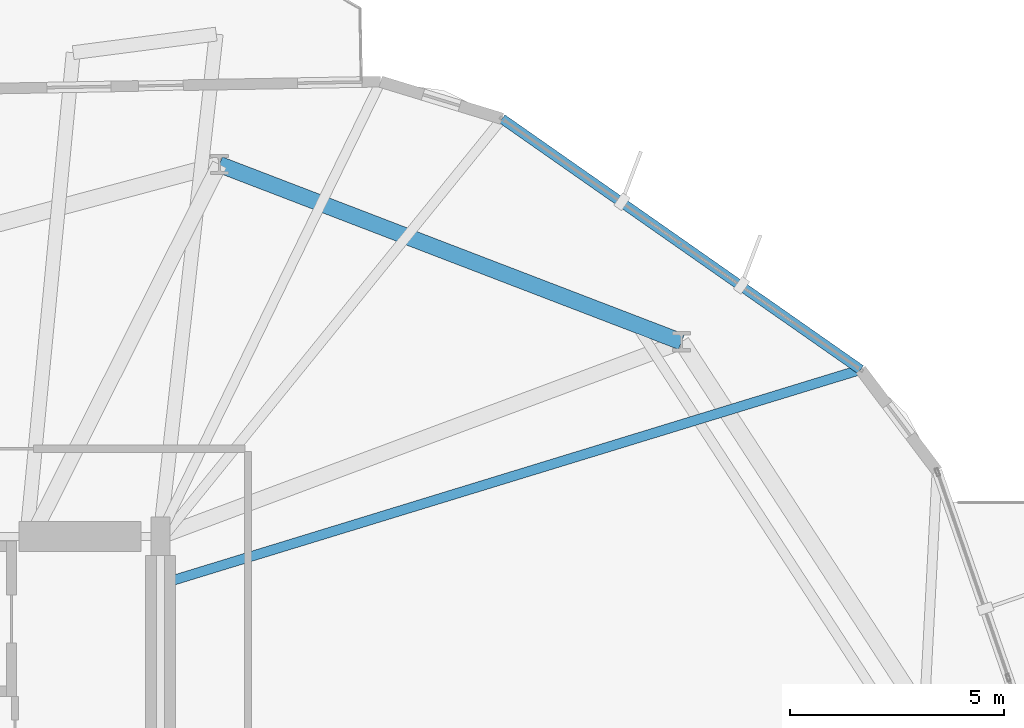
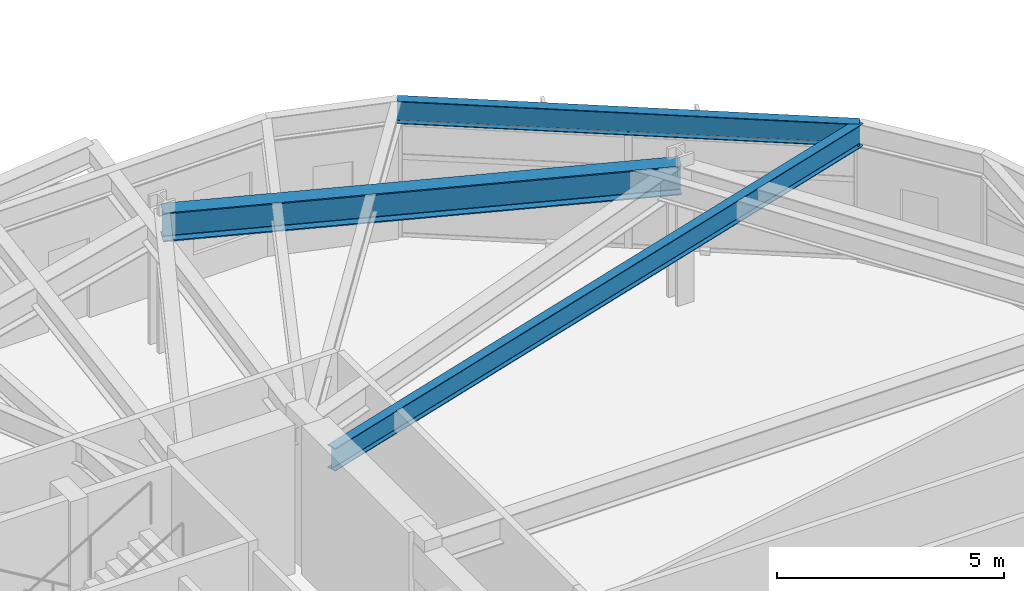
# One storey, part 14 of 23: 3 beams.
"""IFC4 building model written with IfcOpenShell, lengths in metres."""

from ifc_helpers import new_model, si_unit, direction, frame, origin, origin_2d, place, context, subcontext, project, spatial, i_section, extrude, material, material_profile, profile_set, type_object, element, save


model = new_model("IFC4")

# Units and contexts
model_context = context("Model", 3, precision=1e-05, world=origin(), true_north=direction((0.0, 1.0)))
body_context = subcontext(model_context, "Body", "Model", "MODEL_VIEW")
ifc_project = project(units=[si_unit("LENGTHUNIT", "METRE"), si_unit("AREAUNIT", "SQUARE_METRE"), si_unit("VOLUMEUNIT", "CUBIC_METRE"), si_unit("PLANEANGLEUNIT", "RADIAN"), si_unit("MASSUNIT", "GRAM", prefix="KILO")], contexts=[model_context])

# Site, building, storey
site_placement = place(None, origin())
site = spatial("IfcSite", under=ifc_project, at=site_placement, CompositionType="ELEMENT")
building_placement = place(site_placement, origin())
building = spatial("IfcBuilding", under=site, at=building_placement, Name="Soratama Intermodal Tower", CompositionType="ELEMENT")
storey_placement = place(building_placement, frame((0.0, 0.0, 30.60009765625)))
storey = spatial("IfcBuildingStorey", under=building, at=storey_placement, Name="L06", CompositionType="ELEMENT", Elevation=30.60009765625)

# Beams
ifc_material_1 = material(Name="Structural steel ASTM A992 Grade 50", Category="steel")
ifc_material_profile_1 = material_profile(ifc_material_1, i_section(OverallWidth=0.382080078125, OverallDepth=0.779052734375, WebThickness=0.01806640625, FlangeThickness=0.030029296875, FilletRadius=0.01806640625, at=origin_2d()), Name="W30X191")
ifc_profile_set_1 = profile_set([ifc_material_profile_1], Name="Structural steel ASTM A992 Grade 50")
beam_type_1 = type_object("IfcBeamType", Name="BM-RING-W30X191", PredefinedType="BEAM", material=ifc_profile_set_1)
beam_1_placement = place(storey_placement, frame((56.781005859375, 39.548095703125, 3.310302734375), z_axis=(-0.933584159632, 0.358358224246, 0.0), x_axis=(-0.358358224246, -0.933584159632, 0.0)))
element("IfcBeam", 1, at=beam_1_placement, inside=storey, type_object=beam_type_1, Name="BM-L06-RING-02", PredefinedType="BEAM", context=body_context, shape_type="SweptSolid", body=[
    extrude(i_section(OverallWidth=0.382080078125, OverallDepth=0.779052734375, WebThickness=0.01806640625, FlangeThickness=0.030029296875, FilletRadius=0.01806640625, at=origin_2d()), origin(), (0.0, 0.0, 1.0), 11.5693359375),
])
ifc_material_2 = material(Name="Structural steel ASTM A992 Grade 50", Category="steel")
ifc_material_profile_2 = material_profile(ifc_material_2, i_section(OverallWidth=0.22900390625, OverallDepth=0.612060546875, WebThickness=0.011962890625, FlangeThickness=0.01953125, FilletRadius=0.012939453125, at=origin_2d()), Name="W24X84")
ifc_profile_set_2 = profile_set([ifc_material_profile_2], Name="Structural steel ASTM A992 Grade 50")
beam_type_2 = type_object("IfcBeamType", Name="BM-SPN-W24X84", PredefinedType="SPANDREL", material=ifc_profile_set_2)
beam_2_placement = place(storey_placement, frame((60.968017578125, 38.89892578125, 3.393798828125), z_axis=(-0.819345141527, 0.57330056607, 0.0), x_axis=(-0.57330056607, -0.819345141527, 0.0)))
element("IfcBeam", 2, at=beam_2_placement, inside=storey, type_object=beam_type_2, Name="BS-L06-F02", PredefinedType="SPANDREL", context=body_context, shape_type="SweptSolid", body=[
    extrude(i_section(OverallWidth=0.22900390625, OverallDepth=0.612060546875, WebThickness=0.011962890625, FlangeThickness=0.01953125, FilletRadius=0.012939453125, at=origin_2d()), origin(), (0.0, 0.0, 1.0), 10.230224609375),
])
ifc_material_3 = material(Name="Structural steel ASTM A992 Grade 50", Category="steel")
ifc_material_profile_3 = material_profile(ifc_material_3, i_section(OverallWidth=0.22900390625, OverallDepth=0.612060546875, WebThickness=0.011962890625, FlangeThickness=0.01953125, FilletRadius=0.012939453125, at=origin_2d()), Name="W24X84")
ifc_profile_set_3 = profile_set([ifc_material_profile_3], Name="Structural steel ASTM A992 Grade 50")
beam_type_3 = type_object("IfcBeamType", Name="BM-TIE-W24X84", PredefinedType="BEAM", material=ifc_profile_set_3)
beam_3_placement = place(storey_placement, frame((44.637939453125, 33.89501953125, 3.393798828125), z_axis=(0.956119575083, 0.292976719455, 0.0), x_axis=(-0.292976719455, 0.956119575083, 0.0)))
element("IfcBeam", 3, at=beam_3_placement, inside=storey, type_object=beam_type_3, Name="BM-L06-TIE0-02", PredefinedType="BEAM", context=body_context, shape_type="SweptSolid", body=[
    extrude(i_section(OverallWidth=0.22900390625, OverallDepth=0.612060546875, WebThickness=0.011962890625, FlangeThickness=0.01953125, FilletRadius=0.012939453125, at=origin_2d()), origin(), (0.0, 0.0, 1.0), 17.07958984375),
])

save(model, "model.ifc")
